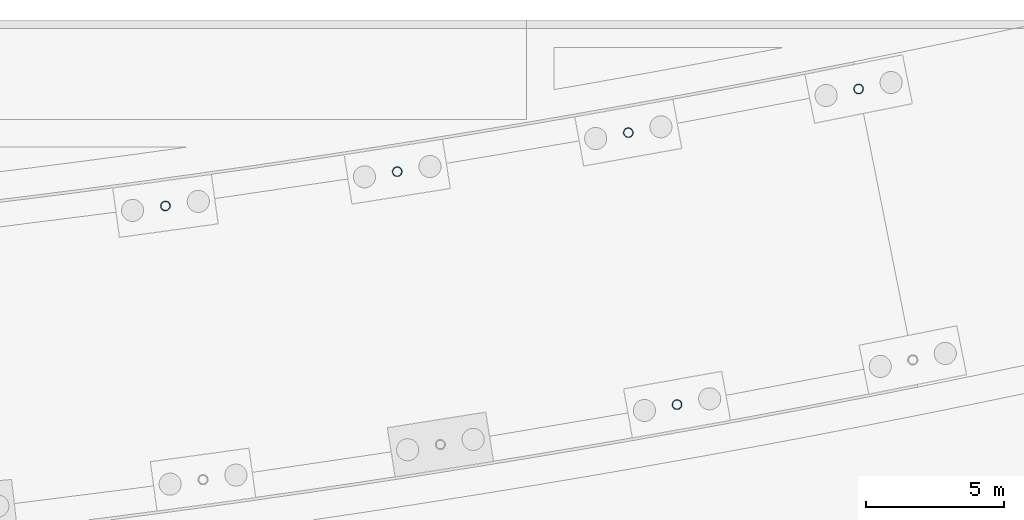
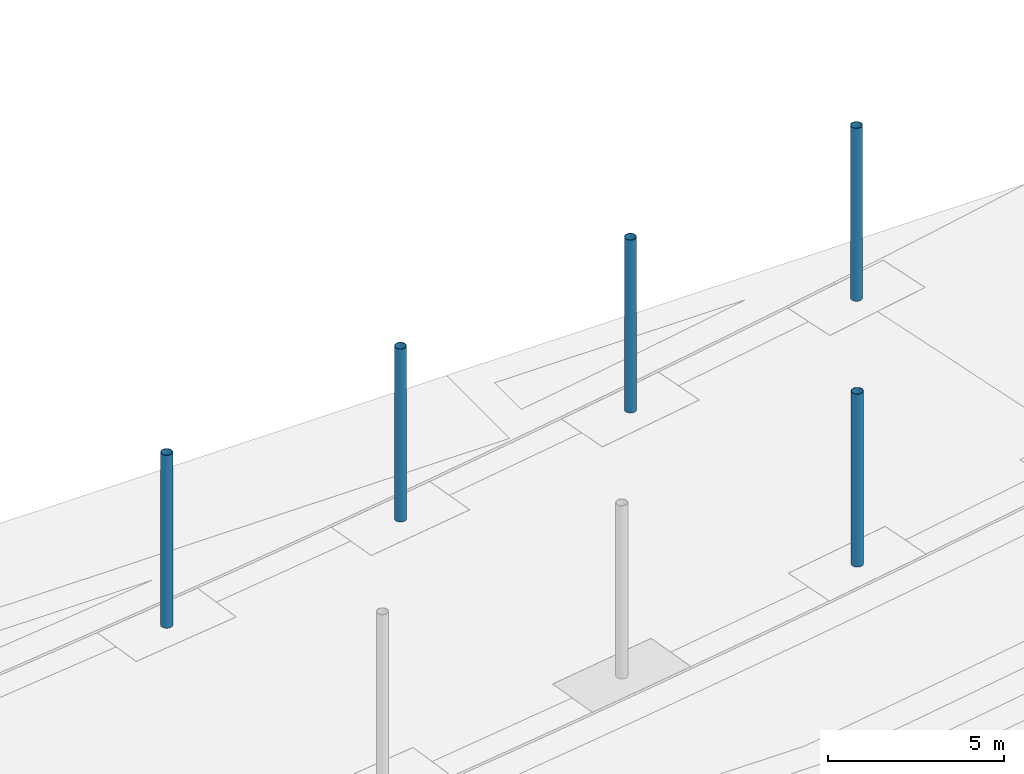
# One storey, part 31 of 198: 5 columns.
"""IFC4 building model written with IfcOpenShell, lengths in metres."""

from ifc_helpers import new_model, si_unit, direction, frame, origin, origin_2d, place, context, subcontext, project, spatial, hollow_circle, extrude, material, material_profile, profile_set, type_object, element, save


model = new_model("IFC4")

# Units and contexts
model_context = context("Model", 3, precision=1e-05, world=origin(), true_north=direction((0.0, 1.0)))
body_context = subcontext(model_context, "Body", "Model", "MODEL_VIEW")
ifc_project = project(units=[si_unit("LENGTHUNIT", "METRE"), si_unit("AREAUNIT", "SQUARE_METRE"), si_unit("VOLUMEUNIT", "CUBIC_METRE"), si_unit("PLANEANGLEUNIT", "RADIAN"), si_unit("MASSUNIT", "GRAM", prefix="KILO")], contexts=[model_context])

# Site, building, storey
site_placement = place(None, origin())
site = spatial("IfcSite", under=ifc_project, at=site_placement, CompositionType="ELEMENT")
building_placement = place(site_placement, origin())
building = spatial("IfcBuilding", under=site, at=building_placement, Name="Opaline Strait Convention Centre", CompositionType="ELEMENT")
storey_placement = place(building_placement, origin())
storey = spatial("IfcBuildingStorey", under=building, at=storey_placement, Name="L00", CompositionType="ELEMENT", Elevation=0.0)

# Columns
ifc_material = material(Name="Steel Q355B", Category="steel")
ifc_material_profile = material_profile(ifc_material, hollow_circle(Radius=0.175537109375, WallThickness=0.01611328125, at=origin_2d()), Name="CHS 351x16")
ifc_profile_set = profile_set([ifc_material_profile], Name="Steel Q355B")
column_type = type_object("IfcColumnType", Name="Arcade column CHS 351x16", PredefinedType="COLUMN", material=ifc_profile_set)
for number, where, z_axis, x_axis, name in (
    (1, (253.449462890625, 176.07958984375, 0.0), (0.0, 0.0, 1.0), (1.0, 0.0, 0.0), "Arcade column SC-I19"),
    (2, (234.933837890625, 183.27197265625, 0.0), (0.0, 0.0, 1.0), (1.0, 0.0, 0.0), "Arcade column SC-O17"),
    (3, (243.32275390625, 184.51171875, 0.0), (0.0, 0.0, 1.0), (1.0, 0.0, 0.0), "Arcade column SC-O18"),
    (4, (251.685546875, 185.9228515625, 0.0), (0.0, 0.0, 1.0), (1.0, 0.0, 0.0), "Arcade column SC-O19"),
    (5, (260.019287109375, 187.5029296875, 0.0), (0.0, 0.0, 1.0), (1.0, 0.0, 0.0), "Arcade column SC-O20"),
):
    element("IfcColumn", number, at=place(storey_placement, frame(where, z_axis=z_axis, x_axis=x_axis)), inside=storey, type_object=column_type, Name=name, ObjectType="SCC1", PredefinedType="COLUMN", context=body_context, shape_type="SweptSolid", body=[
        extrude(hollow_circle(Radius=0.175537109375, WallThickness=0.01611328125, at=origin_2d()), origin(), (0.0, 0.0, 1.0), 6.0),
    ])

save(model, "model.ifc")
